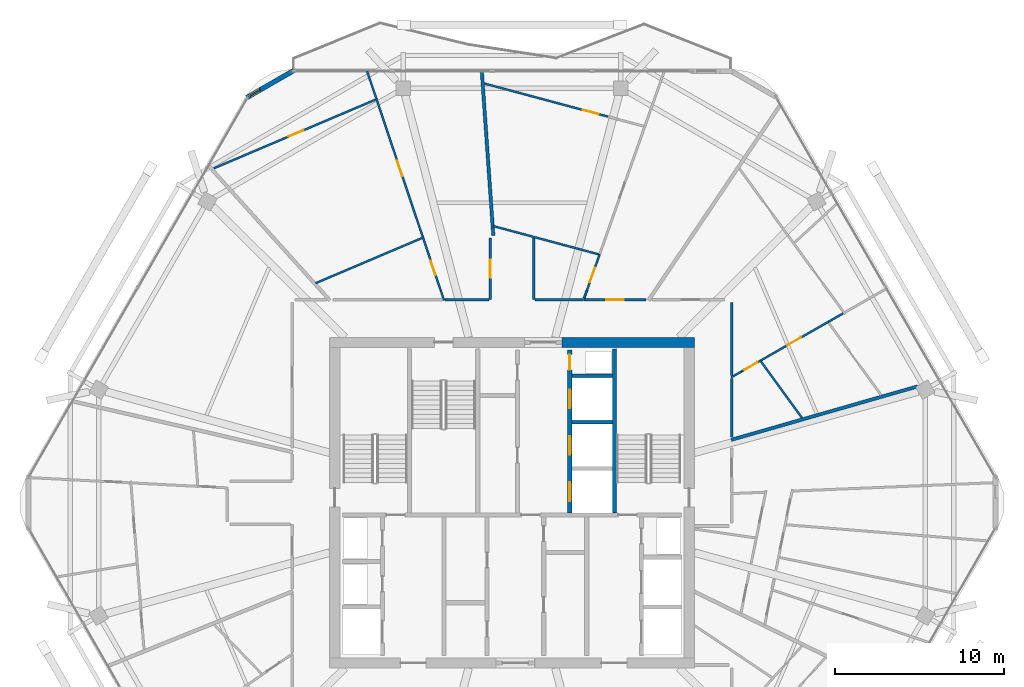
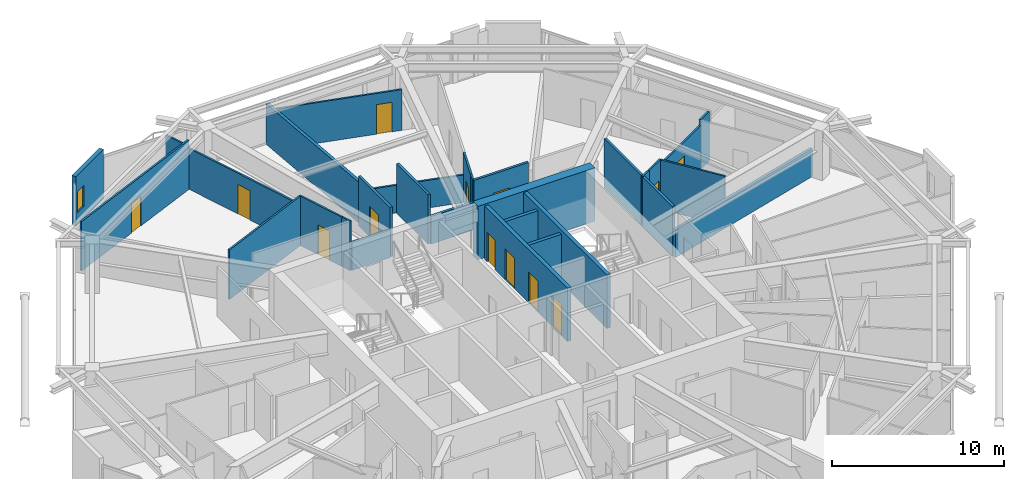
# One storey, part 23 of 26: 30 walls, 13 doors, 1 window, 14 openings.
"""IFC4 building model written with IfcOpenShell, lengths in metres."""

from ifc_helpers import new_model, si_unit, direction, frame, frame_2d, origin, place, context, subcontext, project, spatial, rectangle, extrude, material, layer, layer_set, type_object, element, fill, save


model = new_model("IFC4")

# Units and contexts
model_context = context("Model", 3, precision=1e-05, world=origin(), true_north=direction((0.0, 1.0)))
body_context = subcontext(model_context, "Body", "Model", "MODEL_VIEW")
ifc_project = project(units=[si_unit("LENGTHUNIT", "METRE"), si_unit("AREAUNIT", "SQUARE_METRE"), si_unit("VOLUMEUNIT", "CUBIC_METRE"), si_unit("PLANEANGLEUNIT", "RADIAN"), si_unit("MASSUNIT", "GRAM", prefix="KILO")], contexts=[model_context])

# Site, building, storey
site_placement = place(None, origin())
site = spatial("IfcSite", under=ifc_project, at=site_placement, CompositionType="ELEMENT")
building_placement = place(site_placement, origin())
building = spatial("IfcBuilding", under=site, at=building_placement, Name="Zuhravey Tower", CompositionType="ELEMENT")
storey_placement = place(building_placement, frame((0.0, 0.0, 299.60009765625)))
storey = spatial("IfcBuildingStorey", under=building, at=storey_placement, Name="L76", CompositionType="ELEMENT", Elevation=299.60009765625)

# Wall
ifc_material_1 = material(Name="Concrete C50/60", Category="concrete")
ifc_layer_1 = layer(ifc_material_1, 0.60009765625)
ifc_layer_set_1 = layer_set([ifc_layer_1], Name="Concrete C50/60")
wall_type_1 = type_object("IfcWallType", Name="Core Shear Wall 600", PredefinedType="SHEAR", material=ifc_layer_set_1)
wall_1_placement = place(storey_placement, frame((46.800048828125, 41.5, 0.0), z_axis=(0.0, 0.0, 1.0), x_axis=(-1.0, 0.0, 0.0)))
element("IfcWall", 1, at=wall_1_placement, inside=storey, type_object=wall_type_1, Name="L76 North-East Core Shear Wall CW60", PredefinedType="SHEAR", context=body_context, shape_type="SweptSolid", body=[
    extrude(rectangle(XDim=7.85009765625, YDim=0.60009765625, at=frame_2d((3.925048828125, 0.0))), origin(), (0.0, 0.0, 1.0), 3.7998046875),
])

# Wall, opening, door
ifc_material_2 = material(Name="Gypsum fire-rated stud partition")
ifc_layer_2 = layer(ifc_material_2, 0.159912109375)
ifc_layer_set_2 = layer_set([ifc_layer_2], Name="Gypsum fire-rated stud partition")
wall_type_2 = type_object("IfcWallType", Name="Corridor Fire Partition 160", PredefinedType="PARTITIONING", material=ifc_layer_set_2)
wall_2_placement = place(storey_placement, frame((43.9384765625, 44.030029296875, 0.0), z_axis=(0.0, 0.0, 1.0), x_axis=(-1.0, 0.0, 0.0)))
wall_2 = element("IfcWall", 2, at=wall_2_placement, inside=storey, type_object=wall_type_2, Name="L76 IW16 Partition 055", PredefinedType="PARTITIONING", context=body_context, shape_type="SweptSolid", body=[
    extrude(rectangle(XDim=3.67138671875, YDim=0.159912109375, at=frame_2d((1.835693359375, 0.0))), origin(), (0.0, 0.0, 1.0), 3.52001953125),
])
opening_1_placement = place(wall_2_placement, frame((1.310791015625, 0.0, 0.0)))
opening_1 = element("IfcOpeningElement", 3, at=opening_1_placement, cuts=wall_2, Name="Opening APD1", PredefinedType="OPENING", context=body_context, shape_type="SweptSolid", body=[
    extrude(rectangle(XDim=1.050048828125, YDim=2.14990234375, at=frame_2d((0.52490234375, 1.074951171875))), frame((0.0, 0.092041015625, 0.0), z_axis=(0.0, -1.0, 0.0), x_axis=(1.0, 0.0, 0.0)), (0.0, 0.0, 1.0), 0.183837890625),
])
ifc_material_3 = material(Name="Solid-core oak fire-rated leaf")
door_type_1 = type_object("IfcDoorType", Name="Apartment Entrance Fire Door 1050x2150", OperationType="NOTDEFINED", PredefinedType="DOOR", material=ifc_material_3)
door_1_placement = place(opening_1_placement, frame((1.050048828125, 0.0, 0.0), z_axis=(0.0, 0.0, 1.0), x_axis=(-1.0, 0.0, 0.0)))
door_1 = element("IfcDoor", 4, at=door_1_placement, inside=storey, type_object=door_type_1, Name="L76 Door 055.1", OperationType="SINGLE_SWING_RIGHT", OverallHeight=2.14990234375, OverallWidth=1.050048828125, PredefinedType="DOOR", context=body_context, shape_type="SweptSolid", body=[
    extrude(rectangle(XDim=1.050048828125, YDim=2.14990234375, at=frame_2d((0.52490234375, 1.074951171875))), frame((0.0, 0.02490234375, 0.0), z_axis=(0.0, -1.0, 0.0), x_axis=(1.0, 0.0, 0.0)), (0.0, 0.0, 1.0), 0.050048828125),
])
fill(opening_1, door_1)

wall_3_placement = place(storey_placement, frame((34.719970703125, 47.699951171875, 0.0), z_axis=(0.0, 0.0, 1.0), x_axis=(0.0, -1.0, 0.0)))
wall_3 = element("IfcWall", 5, at=wall_3_placement, inside=storey, type_object=wall_type_2, Name="L76 IW16 Partition 059", PredefinedType="PARTITIONING", context=body_context, shape_type="SweptSolid", body=[
    extrude(rectangle(XDim=3.669921875, YDim=0.159912109375, at=frame_2d((1.8349609375, 0.0))), origin(), (0.0, 0.0, 1.0), 3.52001953125),
])
opening_2_placement = place(wall_3_placement, frame((1.31005859375, 0.0, 0.0)))
opening_2 = element("IfcOpeningElement", 6, at=opening_2_placement, cuts=wall_3, Name="Opening APD1", PredefinedType="OPENING", context=body_context, shape_type="SweptSolid", body=[
    extrude(rectangle(XDim=1.050048828125, YDim=2.14990234375, at=frame_2d((0.52490234375, 1.074951171875))), frame((0.0, 0.092041015625, 0.0), z_axis=(0.0, -1.0, 0.0), x_axis=(1.0, 0.0, 0.0)), (0.0, 0.0, 1.0), 0.183837890625),
])
door_2_placement = place(opening_2_placement, frame((1.050048828125, 0.0, 0.0), z_axis=(0.0, 0.0, 1.0), x_axis=(-1.0, 0.0, 0.0)))
door_2 = element("IfcDoor", 7, at=door_2_placement, inside=storey, type_object=door_type_1, Name="L76 Door 059.1", OperationType="SINGLE_SWING_RIGHT", OverallHeight=2.14990234375, OverallWidth=1.050048828125, PredefinedType="DOOR", context=body_context, shape_type="SweptSolid", body=[
    extrude(rectangle(XDim=1.050048828125, YDim=2.14990234375, at=frame_2d((0.52490234375, 1.074951171875))), frame((0.0, 0.02490234375, 0.0), z_axis=(0.0, -1.0, 0.0), x_axis=(1.0, 0.0, 0.0)), (0.0, 0.0, 1.0), 0.050048828125),
])
fill(opening_2, door_2)

# Walls
wall_4_placement = place(storey_placement, frame((49.030029296875, 39.528564453125, 0.0), z_axis=(0.0, 0.0, 1.0), x_axis=(0.0, 1.0, 0.0)))
element("IfcWall", 8, at=wall_4_placement, inside=storey, type_object=wall_type_2, Name="L76 IW16 Partition 139", PredefinedType="PARTITIONING", context=body_context, shape_type="SweptSolid", body=[
    extrude(rectangle(XDim=4.321533203125, YDim=0.159912109375, at=frame_2d((2.16064453125, 0.0))), origin(), (0.0, 0.0, 1.0), 3.52001953125),
])
wall_5_placement = place(storey_placement, frame((49.030029296875, 35.880615234375, 0.0), z_axis=(0.0, 0.0, 1.0), x_axis=(0.0, 1.0, 0.0)))
element("IfcWall", 9, at=wall_5_placement, inside=storey, type_object=wall_type_2, Name="L76 IW16 Partition 140", PredefinedType="PARTITIONING", context=body_context, shape_type="SweptSolid", body=[
    extrude(rectangle(XDim=3.4912109375, YDim=0.159912109375, at=frame_2d((1.74560546875, 0.0))), origin(), (0.0, 0.0, 1.0), 3.52001953125),
])
wall_6_placement = place(storey_placement, frame((37.280029296875, 44.030029296875, 0.0), z_axis=(0.0, 0.0, 1.0), x_axis=(0.0, 1.0, 0.0)))
element("IfcWall", 10, at=wall_6_placement, inside=storey, type_object=wall_type_2, Name="L76 IW16 Partition 141", PredefinedType="PARTITIONING", context=body_context, shape_type="SweptSolid", body=[
    extrude(rectangle(XDim=3.651123046875, YDim=0.159912109375, at=frame_2d((1.82568359375, 0.0))), origin(), (0.0, 0.0, 1.0), 3.52001953125),
])
wall_7_placement = place(storey_placement, frame((40.224609375, 44.030029296875, 0.0), z_axis=(0.0, 0.0, 1.0), x_axis=(-1.0, 0.0, 0.0)))
element("IfcWall", 11, at=wall_7_placement, inside=storey, type_object=wall_type_2, Name="L76 IW16 Partition 142", PredefinedType="PARTITIONING", context=body_context, shape_type="SweptSolid", body=[
    extrude(rectangle(XDim=2.856689453125, YDim=0.159912109375, at=frame_2d((1.42822265625, 0.0))), origin(), (0.0, 0.0, 1.0), 1.969970703125),
])
wall_8_placement = place(storey_placement, frame((34.632080078125, 44.030029296875, 0.0), z_axis=(0.0, 0.0, 1.0), x_axis=(-1.0, 0.0, 0.0)))
element("IfcWall", 12, at=wall_8_placement, inside=storey, type_object=wall_type_2, Name="L76 IW16 Partition 143", PredefinedType="PARTITIONING", context=body_context, shape_type="SweptSolid", body=[
    extrude(rectangle(XDim=2.599365234375, YDim=0.159912109375, at=frame_2d((1.2998046875, 0.0))), origin(), (0.0, 0.0, 1.0), 1.969970703125),
])

# Wall, opening, window
ifc_material_4 = material(Name="Precast concrete C40/50", Category="concrete")
ifc_layer_3 = layer(ifc_material_4, 0.280029296875)
ifc_layer_set_3 = layer_set([ifc_layer_3], Name="Precast concrete C40/50")
wall_type_3 = type_object("IfcWallType", Name="Crown Architectural Wall 280", PredefinedType="SOLIDWALL", material=ifc_layer_set_3)
wall_9_placement = place(storey_placement, frame((20.285400390625, 56.003662109375, 0.0), z_axis=(0.0, 0.0, 1.0), x_axis=(0.866028773314, 0.499994163758, 0.0)))
wall_9 = element("IfcWall", 13, at=wall_9_placement, inside=storey, type_object=wall_type_3, Name="L76 Rounded Corner Closure Wall EW28-08", PredefinedType="SOLIDWALL", context=body_context, shape_type="SweptSolid", body=[
    extrude(rectangle(XDim=3.21484375, YDim=0.280029296875, at=frame_2d((1.607421875, 0.0))), origin(), (0.0, 0.0, 1.0), 3.52001953125),
])
opening_3_placement = place(wall_9_placement, frame((0.17578125, 0.0, 0.85009765625)))
opening_3 = element("IfcOpeningElement", 14, at=opening_3_placement, cuts=wall_9, Name="Opening WN5", PredefinedType="OPENING", context=body_context, shape_type="SweptSolid", body=[
    extrude(rectangle(XDim=0.75, YDim=1.5, at=frame_2d((0.375, 0.75))), frame((0.0, 0.152099609375, 0.0), z_axis=(0.0, -1.0, 0.0), x_axis=(1.0, 0.0, 0.0)), (0.0, 0.0, 1.0), 0.303955078125),
])
ifc_material_5 = material(Name="Thermally broken aluminium and triple low-E glass", Category="aluminium")
window_type = type_object("IfcWindowType", Name="Residential Corner Casement Window 750x1500", PartitioningType="SINGLE_PANEL", PredefinedType="WINDOW", material=ifc_material_5)
window_placement = place(opening_3_placement, origin())
window = element("IfcWindow", 15, at=window_placement, inside=storey, type_object=window_type, Name="L76 Corner Casement Window WN5-08.1", OverallHeight=1.5, OverallWidth=0.75, PartitioningType="SINGLE_PANEL", PredefinedType="WINDOW", context=body_context, shape_type="SweptSolid", body=[
    extrude(rectangle(XDim=0.75, YDim=1.5, at=frame_2d((0.375, 0.75))), frame((0.0, 0.030029296875, 0.0), z_axis=(0.0, -1.0, 0.0), x_axis=(1.0, 0.0, 0.0)), (0.0, 0.0, 1.0), 0.06005859375),
])
fill(opening_3, window)

# Wall
ifc_layer_4 = layer(ifc_material_1, 0.25)
ifc_layer_set_4 = layer_set([ifc_layer_4], Name="Concrete C50/60")
wall_type_4 = type_object("IfcWallType", Name="Firefighting Shaft & Stair Wall 250", PredefinedType="SOLIDWALL", material=ifc_layer_set_4)
wall_10_placement = place(storey_placement, frame((42.074951171875, 31.39990234375, 0.0), z_axis=(0.0, 0.0, 1.0), x_axis=(0.0, 1.0, 0.0)))
element("IfcWall", 16, at=wall_10_placement, inside=storey, type_object=wall_type_4, Name="L76 FW25 Shaft Wall 006", PredefinedType="SOLIDWALL", context=body_context, shape_type="SweptSolid", body=[
    extrude(rectangle(XDim=9.7001953125, YDim=0.25, at=frame_2d((4.85009765625, 0.0))), origin(), (0.0, 0.0, 1.0), 3.7998046875),
])

# Wall, openings, doors
wall_11_placement = place(storey_placement, frame((39.425048828125, 31.39990234375, 0.0), z_axis=(0.0, 0.0, 1.0), x_axis=(0.0, 1.0, 0.0)))
wall_11 = element("IfcWall", 17, at=wall_11_placement, inside=storey, type_object=wall_type_4, Name="L76 FW25 Shaft Wall 008", PredefinedType="SOLIDWALL", context=body_context, shape_type="SweptSolid", body=[
    extrude(rectangle(XDim=9.650146484375, YDim=0.25, at=frame_2d((4.8251953125, 0.0))), origin(), (0.0, 0.0, 1.0), 3.7998046875),
])
opening_4_placement = place(wall_11_placement, frame((0.699951171875, 0.0, 0.0)))
opening_4 = element("IfcOpeningElement", 18, at=opening_4_placement, cuts=wall_11, Name="Opening LD1", PredefinedType="OPENING", context=body_context, shape_type="SweptSolid", body=[
    extrude(rectangle(XDim=1.10009765625, YDim=2.199951171875, at=frame_2d((0.550048828125, 1.10009765625))), frame((0.0, 0.136962890625, 0.0), z_axis=(0.0, -1.0, 0.0), x_axis=(1.0, 0.0, 0.0)), (0.0, 0.0, 1.0), 0.27392578125),
])
opening_5_placement = place(wall_11_placement, frame((3.449951171875, 0.0, 0.0)))
opening_5 = element("IfcOpeningElement", 19, at=opening_5_placement, cuts=wall_11, Name="Opening LD1", PredefinedType="OPENING", context=body_context, shape_type="SweptSolid", body=[
    extrude(rectangle(XDim=1.10009765625, YDim=2.199951171875, at=frame_2d((0.550048828125, 1.10009765625))), frame((0.0, 0.136962890625, 0.0), z_axis=(0.0, -1.0, 0.0), x_axis=(1.0, 0.0, 0.0)), (0.0, 0.0, 1.0), 0.27392578125),
])
opening_6_placement = place(wall_11_placement, frame((6.199951171875, 0.0, 0.0)))
opening_6 = element("IfcOpeningElement", 20, at=opening_6_placement, cuts=wall_11, Name="Opening LD1", PredefinedType="OPENING", context=body_context, shape_type="SweptSolid", body=[
    extrude(rectangle(XDim=1.10009765625, YDim=2.199951171875, at=frame_2d((0.550048828125, 1.10009765625))), frame((0.0, 0.136962890625, 0.0), z_axis=(0.0, -1.0, 0.0), x_axis=(1.0, 0.0, 0.0)), (0.0, 0.0, 1.0), 0.27392578125),
])
opening_7_placement = place(wall_11_placement, frame((8.469970703125, 0.0, 0.0)))
opening_7 = element("IfcOpeningElement", 21, at=opening_7_placement, cuts=wall_11, Name="Opening RSD1", PredefinedType="OPENING", context=body_context, shape_type="SweptSolid", body=[
    extrude(rectangle(XDim=0.89990234375, YDim=2.10009765625, at=frame_2d((0.449951171875, 1.050048828125))), frame((0.0, 0.136962890625, 0.0), z_axis=(0.0, -1.0, 0.0), x_axis=(1.0, 0.0, 0.0)), (0.0, 0.0, 1.0), 0.27392578125),
])
ifc_material_6 = material(Name="Brushed stainless steel", Category="steel")
door_type_2 = type_object("IfcDoorType", Name="Lift Landing Sliding Door 1100x2200", OperationType="DOUBLE_DOOR_SLIDING", PredefinedType="DOOR", material=ifc_material_6)
door_3_placement = place(opening_4_placement, origin())
door_3 = element("IfcDoor", 22, at=door_3_placement, inside=storey, type_object=door_type_2, Name="L76 Lift PL7 Landing Door", OperationType="DOUBLE_DOOR_SLIDING", OverallHeight=2.199951171875, OverallWidth=1.10009765625, PredefinedType="DOOR", context=body_context, shape_type="SweptSolid", body=[
    extrude(rectangle(XDim=1.10009765625, YDim=2.199951171875, at=frame_2d((0.550048828125, 1.10009765625))), frame((0.0, 0.02490234375, 0.0), z_axis=(0.0, -1.0, 0.0), x_axis=(1.0, 0.0, 0.0)), (0.0, 0.0, 1.0), 0.050048828125),
])
fill(opening_4, door_3)
door_4_placement = place(opening_5_placement, origin())
door_4 = element("IfcDoor", 23, at=door_4_placement, inside=storey, type_object=door_type_2, Name="L76 Lift PL8 Landing Door", OperationType="DOUBLE_DOOR_SLIDING", OverallHeight=2.199951171875, OverallWidth=1.10009765625, PredefinedType="DOOR", context=body_context, shape_type="SweptSolid", body=[
    extrude(rectangle(XDim=1.10009765625, YDim=2.199951171875, at=frame_2d((0.550048828125, 1.10009765625))), frame((0.0, 0.02490234375, 0.0), z_axis=(0.0, -1.0, 0.0), x_axis=(1.0, 0.0, 0.0)), (0.0, 0.0, 1.0), 0.050048828125),
])
fill(opening_5, door_4)
door_5_placement = place(opening_6_placement, origin())
door_5 = element("IfcDoor", 24, at=door_5_placement, inside=storey, type_object=door_type_2, Name="L76 Lift PL9 Landing Door", OperationType="DOUBLE_DOOR_SLIDING", OverallHeight=2.199951171875, OverallWidth=1.10009765625, PredefinedType="DOOR", context=body_context, shape_type="SweptSolid", body=[
    extrude(rectangle(XDim=1.10009765625, YDim=2.199951171875, at=frame_2d((0.550048828125, 1.10009765625))), frame((0.0, 0.02490234375, 0.0), z_axis=(0.0, -1.0, 0.0), x_axis=(1.0, 0.0, 0.0)), (0.0, 0.0, 1.0), 0.050048828125),
])
fill(opening_6, door_5)
ifc_material_7 = material(Name="Galvanised fire-rated steel access leaf", Category="steel")
door_type_3 = type_object("IfcDoorType", Name="Riser & Shaft Access Fire Door 900x2100", OperationType="NOTDEFINED", PredefinedType="DOOR", material=ifc_material_7)
door_6_placement = place(opening_7_placement, origin())
door_6 = element("IfcDoor", 25, at=door_6_placement, inside=storey, type_object=door_type_3, Name="L76 North Riser Door", OperationType="SINGLE_SWING_RIGHT", OverallHeight=2.10009765625, OverallWidth=0.89990234375, PredefinedType="DOOR", context=body_context, shape_type="SweptSolid", body=[
    extrude(rectangle(XDim=0.89990234375, YDim=2.10009765625, at=frame_2d((0.449951171875, 1.050048828125))), frame((0.0, 0.02490234375, 0.0), z_axis=(0.0, -1.0, 0.0), x_axis=(1.0, 0.0, 0.0)), (0.0, 0.0, 1.0), 0.050048828125),
])
fill(opening_7, door_6)

# Walls
ifc_material_8 = material(Name="Gypsum double-stud party assembly")
ifc_layer_5 = layer(ifc_material_8, 0.199951171875)
ifc_layer_set_5 = layer_set([ifc_layer_5], Name="Gypsum double-stud party assembly")
wall_type_5 = type_object("IfcWallType", Name="Inter-Tenancy Party Wall 200", PredefinedType="PARTITIONING", material=ifc_layer_set_5)
wall_12_placement = place(storey_placement, frame((48.989990234375, 35.724853515625, 0.0), z_axis=(0.0, 0.0, 1.0), x_axis=(0.961260623408, 0.275641096148, 0.0)))
element("IfcWall", 26, at=wall_12_placement, inside=storey, type_object=wall_type_5, Name="L76 IW20 Partition 100", PredefinedType="PARTITIONING", context=body_context, shape_type="SweptSolid", body=[
    extrude(rectangle(XDim=11.494873046875, YDim=0.199951171875, at=frame_2d((5.74755859375, 0.0))), origin(), (0.0, 0.0, 1.0), 1.969970703125),
])
wall_13_placement = place(storey_placement, frame((34.892333984375, 47.839599609375, 0.0), z_axis=(0.0, 0.0, 1.0), x_axis=(-0.069751864863, 0.997564372533, 0.0)))
element("IfcWall", 27, at=wall_13_placement, inside=storey, type_object=wall_type_5, Name="L76 IW20 Partition 114", PredefinedType="PARTITIONING", context=body_context, shape_type="SweptSolid", body=[
    extrude(rectangle(XDim=9.747802734375, YDim=0.199951171875, at=frame_2d((4.8740234375, 0.0))), origin(), (0.0, 0.0, 1.0), 2.89990234375),
])
ifc_material_9 = material(Name="Gypsum acoustic stud assembly")
ifc_layer_6 = layer(ifc_material_9, 0.219970703125)
ifc_layer_set_6 = layer_set([ifc_layer_6], Name="Gypsum acoustic stud assembly")
wall_type_6 = type_object("IfcWallType", Name="School Acoustic Compartment Wall 220", PredefinedType="PARTITIONING", material=ifc_layer_set_6)
for number, where, z_axis, x_axis, name in (
    (28, (39.55810546875, 36.77490234375, 0.0), (0.0, 0.0, 1.0), (1.0, 0.0, 0.0), "L76 IW22 Partition 069"),
    (29, (39.55810546875, 39.52490234375, 0.0), (0.0, 0.0, 1.0), (1.0, 0.0, 0.0), "L76 IW22 Partition 070"),
):
    element("IfcWall", number, at=place(storey_placement, frame(where, z_axis=z_axis, x_axis=x_axis)), inside=storey, type_object=wall_type_6, Name=name, PredefinedType="PARTITIONING", context=body_context, shape_type="SweptSolid", body=[
        extrude(rectangle(XDim=2.3837890625, YDim=0.219970703125, at=frame_2d((1.19189453125, 0.0))), origin(), (0.0, 0.0, 1.0), 3.52001953125),
    ])

# Wall, opening, door
ifc_material_10 = material(Name="Gypsum metal-stud partition")
ifc_layer_7 = layer(ifc_material_10, 0.1201171875)
ifc_layer_set_7 = layer_set([ifc_layer_7], Name="Gypsum metal-stud partition")
wall_type_7 = type_object("IfcWallType", Name="Unit Internal Partition 120", PredefinedType="PARTITIONING", material=ifc_layer_set_7)
wall_14_placement = place(storey_placement, frame((49.60009765625, 39.776123046875, 0.0), z_axis=(0.0, 0.0, 1.0), x_axis=(0.868071653211, 0.496438923627, 0.0)))
wall_14 = element("IfcWall", 30, at=wall_14_placement, inside=storey, type_object=wall_type_7, Name="L76 IW12 Partition 048", PredefinedType="PARTITIONING", context=body_context, shape_type="SweptSolid", body=[
    extrude(rectangle(XDim=1.314453125, YDim=0.1201171875, at=frame_2d((0.6572265625, 0.0))), origin(), (0.0, 0.0, 1.0), 3.52001953125),
])
opening_8_placement = place(wall_14_placement, frame((0.199951171875, 0.0, 0.0)))
opening_8 = element("IfcOpeningElement", 31, at=opening_8_placement, cuts=wall_14, Name="Opening WCD1", PredefinedType="OPENING", context=body_context, shape_type="SweptSolid", body=[
    extrude(rectangle(XDim=0.89990234375, YDim=2.10009765625, at=frame_2d((0.449951171875, 1.050048828125))), frame((0.0, 0.072021484375, 0.0), z_axis=(0.0, -1.0, 0.0), x_axis=(1.0, 0.0, 0.0)), (0.0, 0.0, 1.0), 0.14404296875),
])
ifc_material_11 = material(Name="Moisture-resistant timber leaf", Category="wood")
door_type_4 = type_object("IfcDoorType", Name="Bathroom & WC Internal Door 900x2100", OperationType="NOTDEFINED", PredefinedType="DOOR", material=ifc_material_11)
door_7_placement = place(opening_8_placement, frame((0.89990234375, 0.0, 0.0), z_axis=(0.0, 0.0, 1.0), x_axis=(-1.0, 0.0, 0.0)))
door_7 = element("IfcDoor", 32, at=door_7_placement, inside=storey, type_object=door_type_4, Name="Apartment L76-05 Bathroom Door", OperationType="SINGLE_SWING_LEFT", OverallHeight=2.10009765625, OverallWidth=0.89990234375, PredefinedType="DOOR", context=body_context, shape_type="SweptSolid", body=[
    extrude(rectangle(XDim=0.89990234375, YDim=2.10009765625, at=frame_2d((0.449951171875, 1.050048828125))), frame((0.0, 0.02490234375, 0.0), z_axis=(0.0, -1.0, 0.0), x_axis=(1.0, 0.0, 0.0)), (0.0, 0.0, 1.0), 0.050048828125),
])
fill(opening_8, door_7)

wall_15_placement = place(storey_placement, frame((50.7412109375, 40.4287109375, 0.0), z_axis=(0.0, 0.0, 1.0), x_axis=(0.868106480207, 0.496378020286, 0.0)))
wall_15 = element("IfcWall", 33, at=wall_15_placement, inside=storey, type_object=wall_type_7, Name="L76 IW12 Partition 049", PredefinedType="PARTITIONING", context=body_context, shape_type="SweptSolid", body=[
    extrude(rectangle(XDim=4.618408203125, YDim=0.1201171875, at=frame_2d((2.30908203125, 0.0))), origin(), (0.0, 0.0, 1.0), 3.119873046875),
])
opening_9_placement = place(wall_15_placement, frame((1.80908203125, 0.0, 0.0)))
opening_9 = element("IfcOpeningElement", 34, at=opening_9_placement, cuts=wall_15, Name="Opening IND1", PredefinedType="OPENING", context=body_context, shape_type="SweptSolid", body=[
    extrude(rectangle(XDim=0.949951171875, YDim=2.10009765625, at=frame_2d((0.47509765625, 1.050048828125))), frame((0.0, 0.072021484375, 0.0), z_axis=(0.0, -1.0, 0.0), x_axis=(1.0, 0.0, 0.0)), (0.0, 0.0, 1.0), 0.14404296875),
])
ifc_material_12 = material(Name="Painted engineered timber leaf", Category="wood")
door_type_5 = type_object("IfcDoorType", Name="Internal Room & Bedroom Door 950x2100", OperationType="NOTDEFINED", PredefinedType="DOOR", material=ifc_material_12)
door_8_placement = place(opening_9_placement, frame((0.949951171875, 0.0, 0.0), z_axis=(0.0, 0.0, 1.0), x_axis=(-1.0, 0.0, 0.0)))
door_8 = element("IfcDoor", 35, at=door_8_placement, inside=storey, type_object=door_type_5, Name="Apartment L76-05 Home Office Door", OperationType="SINGLE_SWING_RIGHT", OverallHeight=2.10009765625, OverallWidth=0.949951171875, PredefinedType="DOOR", context=body_context, shape_type="SweptSolid", body=[
    extrude(rectangle(XDim=0.949951171875, YDim=2.10009765625, at=frame_2d((0.47509765625, 1.050048828125))), frame((0.0, 0.02490234375, 0.0), z_axis=(0.0, -1.0, 0.0), x_axis=(1.0, 0.0, 0.0)), (0.0, 0.0, 1.0), 0.050048828125),
])
fill(opening_9, door_8)

wall_16_placement = place(storey_placement, frame((40.447021484375, 44.60009765625, 0.0), z_axis=(0.0, 0.0, 1.0), x_axis=(0.332899370386, 0.942962358314, 0.0)))
wall_16 = element("IfcWall", 36, at=wall_16_placement, inside=storey, type_object=wall_type_7, Name="L76 IW12 Partition 052", PredefinedType="PARTITIONING", context=body_context, shape_type="SweptSolid", body=[
    extrude(rectangle(XDim=2.255859375, YDim=0.1201171875, at=frame_2d((1.1279296875, 0.0))), origin(), (0.0, 0.0, 1.0), 3.52001953125),
])
opening_10_placement = place(wall_16_placement, frame((0.49755859375, 0.0, 0.0)))
opening_10 = element("IfcOpeningElement", 37, at=opening_10_placement, cuts=wall_16, Name="Opening WCD1", PredefinedType="OPENING", context=body_context, shape_type="SweptSolid", body=[
    extrude(rectangle(XDim=0.89990234375, YDim=2.10009765625, at=frame_2d((0.449951171875, 1.050048828125))), frame((0.0, 0.072021484375, 0.0), z_axis=(0.0, -1.0, 0.0), x_axis=(1.0, 0.0, 0.0)), (0.0, 0.0, 1.0), 0.14404296875),
])
door_9_placement = place(opening_10_placement, origin())
door_9 = element("IfcDoor", 38, at=door_9_placement, inside=storey, type_object=door_type_4, Name="Apartment L76-06 Bathroom Door", OperationType="SINGLE_SWING_LEFT", OverallHeight=2.10009765625, OverallWidth=0.89990234375, PredefinedType="DOOR", context=body_context, shape_type="SweptSolid", body=[
    extrude(rectangle(XDim=0.89990234375, YDim=2.10009765625, at=frame_2d((0.449951171875, 1.050048828125))), frame((0.0, 0.02490234375, 0.0), z_axis=(0.0, -1.0, 0.0), x_axis=(1.0, 0.0, 0.0)), (0.0, 0.0, 1.0), 0.050048828125),
])
fill(opening_10, door_9)

wall_17_placement = place(storey_placement, frame((41.693359375, 54.874267578125, 0.0), z_axis=(0.0, 0.0, 1.0), x_axis=(-0.965930778085, 0.25880056404, 0.0)))
wall_17 = element("IfcWall", 39, at=wall_17_placement, inside=storey, type_object=wall_type_7, Name="L76 IW12 Partition 054", PredefinedType="PARTITIONING", context=body_context, shape_type="SweptSolid", body=[
    extrude(rectangle(XDim=7.5703125, YDim=0.1201171875, at=frame_2d((3.78515625, 0.0))), origin(), (0.0, 0.0, 1.0), 2.89990234375),
])
opening_11_placement = place(wall_17_placement, frame((0.594482421875, 0.0, 0.0)))
opening_11 = element("IfcOpeningElement", 40, at=opening_11_placement, cuts=wall_17, Name="Opening IND1", PredefinedType="OPENING", context=body_context, shape_type="SweptSolid", body=[
    extrude(rectangle(XDim=0.949951171875, YDim=2.10009765625, at=frame_2d((0.47509765625, 1.050048828125))), frame((0.0, 0.072021484375, 0.0), z_axis=(0.0, -1.0, 0.0), x_axis=(1.0, 0.0, 0.0)), (0.0, 0.0, 1.0), 0.14404296875),
])
door_10_placement = place(opening_11_placement, frame((0.949951171875, 0.0, 0.0), z_axis=(0.0, 0.0, 1.0), x_axis=(-1.0, 0.0, 0.0)))
door_10 = element("IfcDoor", 41, at=door_10_placement, inside=storey, type_object=door_type_5, Name="Apartment L76-06 Bedroom 1 Door", OperationType="SINGLE_SWING_LEFT", OverallHeight=2.10009765625, OverallWidth=0.949951171875, PredefinedType="DOOR", context=body_context, shape_type="SweptSolid", body=[
    extrude(rectangle(XDim=0.949951171875, YDim=2.10009765625, at=frame_2d((0.47509765625, 1.050048828125))), frame((0.0, 0.02490234375, 0.0), z_axis=(0.0, -1.0, 0.0), x_axis=(1.0, 0.0, 0.0)), (0.0, 0.0, 1.0), 0.050048828125),
])
fill(opening_11, door_10)

wall_18_placement = place(storey_placement, frame((31.769287109375, 44.60009765625, 0.0), z_axis=(0.0, 0.0, 1.0), x_axis=(-0.318310652393, 0.947986460121, 0.0)))
wall_18 = element("IfcWall", 42, at=wall_18_placement, inside=storey, type_object=wall_type_7, Name="L76 IW12 Partition 056", PredefinedType="PARTITIONING", context=body_context, shape_type="SweptSolid", body=[
    extrude(rectangle(XDim=3.30419921875, YDim=0.1201171875, at=frame_2d((1.652099609375, 0.0))), origin(), (0.0, 0.0, 1.0), 3.52001953125),
])
opening_12_placement = place(wall_18_placement, frame((0.937744140625, 0.0, 0.0)))
opening_12 = element("IfcOpeningElement", 43, at=opening_12_placement, cuts=wall_18, Name="Opening WCD1", PredefinedType="OPENING", context=body_context, shape_type="SweptSolid", body=[
    extrude(rectangle(XDim=0.89990234375, YDim=2.10009765625, at=frame_2d((0.449951171875, 1.050048828125))), frame((0.0, 0.072021484375, 0.0), z_axis=(0.0, -1.0, 0.0), x_axis=(1.0, 0.0, 0.0)), (0.0, 0.0, 1.0), 0.14404296875),
])
door_11_placement = place(opening_12_placement, origin())
door_11 = element("IfcDoor", 44, at=door_11_placement, inside=storey, type_object=door_type_4, Name="Apartment L76-07 Bathroom Door", OperationType="SINGLE_SWING_LEFT", OverallHeight=2.10009765625, OverallWidth=0.89990234375, PredefinedType="DOOR", context=body_context, shape_type="SweptSolid", body=[
    extrude(rectangle(XDim=0.89990234375, YDim=2.10009765625, at=frame_2d((0.449951171875, 1.050048828125))), frame((0.0, 0.02490234375, 0.0), z_axis=(0.0, -1.0, 0.0), x_axis=(1.0, 0.0, 0.0)), (0.0, 0.0, 1.0), 0.050048828125),
])
fill(opening_12, door_11)

wall_19_placement = place(storey_placement, frame((30.7177734375, 47.732421875, 0.0), z_axis=(0.0, 0.0, 1.0), x_axis=(-0.318318636233, 0.947983779306, 0.0)))
wall_19 = element("IfcWall", 45, at=wall_19_placement, inside=storey, type_object=wall_type_7, Name="L76 IW12 Partition 057", PredefinedType="PARTITIONING", context=body_context, shape_type="SweptSolid", body=[
    extrude(rectangle(XDim=8.649169921875, YDim=0.1201171875, at=frame_2d((4.32470703125, 0.0))), origin(), (0.0, 0.0, 1.0), 2.89990234375),
])
opening_13_placement = place(wall_19_placement, frame((3.824462890625, 0.0, 0.0)))
opening_13 = element("IfcOpeningElement", 46, at=opening_13_placement, cuts=wall_19, Name="Opening IND1", PredefinedType="OPENING", context=body_context, shape_type="SweptSolid", body=[
    extrude(rectangle(XDim=0.949951171875, YDim=2.10009765625, at=frame_2d((0.47509765625, 1.050048828125))), frame((0.0, 0.072021484375, 0.0), z_axis=(0.0, -1.0, 0.0), x_axis=(1.0, 0.0, 0.0)), (0.0, 0.0, 1.0), 0.14404296875),
])
door_12_placement = place(opening_13_placement, origin())
door_12 = element("IfcDoor", 47, at=door_12_placement, inside=storey, type_object=door_type_5, Name="Apartment L76-07 Home Office Door", OperationType="SINGLE_SWING_RIGHT", OverallHeight=2.10009765625, OverallWidth=0.949951171875, PredefinedType="DOOR", context=body_context, shape_type="SweptSolid", body=[
    extrude(rectangle(XDim=0.949951171875, YDim=2.10009765625, at=frame_2d((0.47509765625, 1.050048828125))), frame((0.0, 0.02490234375, 0.0), z_axis=(0.0, -1.0, 0.0), x_axis=(1.0, 0.0, 0.0)), (0.0, 0.0, 1.0), 0.050048828125),
])
fill(opening_13, door_12)

wall_20_placement = place(storey_placement, frame((27.909912109375, 55.88134765625, 0.0), z_axis=(0.0, 0.0, 1.0), x_axis=(-0.920502753641, -0.390736075299, 0.0)))
wall_20 = element("IfcWall", 48, at=wall_20_placement, inside=storey, type_object=wall_type_7, Name="L76 IW12 Partition 058", PredefinedType="PARTITIONING", context=body_context, shape_type="SweptSolid", body=[
    extrude(rectangle(XDim=10.402587890625, YDim=0.1201171875, at=frame_2d((5.201171875, 0.0))), origin(), (0.0, 0.0, 1.0), 3.52001953125),
])
opening_14_placement = place(wall_20_placement, frame((4.64208984375, 0.0, 0.0)))
opening_14 = element("IfcOpeningElement", 49, at=opening_14_placement, cuts=wall_20, Name="Opening IND1", PredefinedType="OPENING", context=body_context, shape_type="SweptSolid", body=[
    extrude(rectangle(XDim=0.949951171875, YDim=2.10009765625, at=frame_2d((0.47509765625, 1.050048828125))), frame((0.0, 0.072021484375, 0.0), z_axis=(0.0, -1.0, 0.0), x_axis=(1.0, 0.0, 0.0)), (0.0, 0.0, 1.0), 0.14404296875),
])
door_13_placement = place(opening_14_placement, frame((0.949951171875, 0.0, 0.0), z_axis=(0.0, 0.0, 1.0), x_axis=(-1.0, 0.0, 0.0)))
door_13 = element("IfcDoor", 50, at=door_13_placement, inside=storey, type_object=door_type_5, Name="Apartment L76-07 Bedroom 1 Door", OperationType="SINGLE_SWING_LEFT", OverallHeight=2.10009765625, OverallWidth=0.949951171875, PredefinedType="DOOR", context=body_context, shape_type="SweptSolid", body=[
    extrude(rectangle(XDim=0.949951171875, YDim=2.10009765625, at=frame_2d((0.47509765625, 1.050048828125))), frame((0.0, 0.02490234375, 0.0), z_axis=(0.0, -1.0, 0.0), x_axis=(1.0, 0.0, 0.0)), (0.0, 0.0, 1.0), 0.050048828125),
])
fill(opening_14, door_13)

# Walls
wall_21_placement = place(storey_placement, frame((48.985107421875, 39.424560546875, 0.0), z_axis=(0.0, 0.0, 1.0), x_axis=(0.86815829398, 0.496287393144, 0.0)))
element("IfcWall", 51, at=wall_21_placement, inside=storey, type_object=wall_type_7, Name="L76 IW12 Partition 103", PredefinedType="PARTITIONING", context=body_context, shape_type="SweptSolid", body=[
    extrude(rectangle(XDim=0.70849609375, YDim=0.1201171875, at=frame_2d((0.354248046875, 0.0))), origin(), (0.0, 0.0, 1.0), 3.52001953125),
])
wall_22_placement = place(storey_placement, frame((54.75048828125, 42.72119140625, 0.0), z_axis=(0.0, 0.0, 1.0), x_axis=(0.868168243338, 0.496269988272, 0.0)))
element("IfcWall", 52, at=wall_22_placement, inside=storey, type_object=wall_type_7, Name="L76 IW12 Partition 104", PredefinedType="PARTITIONING", context=body_context, shape_type="SweptSolid", body=[
    extrude(rectangle(XDim=1.003173828125, YDim=0.1201171875, at=frame_2d((0.50146484375, 0.0))), origin(), (0.0, 0.0, 1.0), 3.52001953125),
])
wall_23_placement = place(storey_placement, frame((53.174560546875, 37.037109375, 0.0), z_axis=(0.0, 0.0, 1.0), x_axis=(-0.587790054637, 0.809013505245, 0.0)))
element("IfcWall", 53, at=wall_23_placement, inside=storey, type_object=wall_type_7, Name="L76 IW12 Partition 106", PredefinedType="PARTITIONING", context=body_context, shape_type="SweptSolid", body=[
    extrude(rectangle(XDim=4.108642578125, YDim=0.1201171875, at=frame_2d((2.05419921875, 0.0))), origin(), (0.0, 0.0, 1.0), 3.52001953125),
])
wall_24_placement = place(storey_placement, frame((40.277099609375, 44.117919921875, 0.0), z_axis=(0.0, 0.0, 1.0), x_axis=(0.332370454089, 0.943148917854, 0.0)))
element("IfcWall", 54, at=wall_24_placement, inside=storey, type_object=wall_type_7, Name="L76 IW12 Partition 109", PredefinedType="PARTITIONING", context=body_context, shape_type="SweptSolid", body=[
    extrude(rectangle(XDim=0.51123046875, YDim=0.1201171875, at=frame_2d((0.255615234375, 0.0))), origin(), (0.0, 0.0, 1.0), 3.52001953125),
])
wall_25_placement = place(storey_placement, frame((41.123779296875, 46.721435546875, 0.0), z_axis=(0.0, 0.0, 1.0), x_axis=(-0.965921169942, 0.258836422201, 0.0)))
element("IfcWall", 55, at=wall_25_placement, inside=storey, type_object=wall_type_7, Name="L76 IW12 Partition 111", PredefinedType="PARTITIONING", context=body_context, shape_type="SweptSolid", body=[
    extrude(rectangle(XDim=6.446044921875, YDim=0.1201171875, at=frame_2d((3.22314453125, 0.0))), origin(), (0.0, 0.0, 1.0), 1.969970703125),
])
wall_26_placement = place(storey_placement, frame((31.9755859375, 43.986328125, 0.0), z_axis=(0.0, 0.0, 1.0), x_axis=(-0.318602151733, 0.947888531902, 0.0)))
element("IfcWall", 56, at=wall_26_placement, inside=storey, type_object=wall_type_7, Name="L76 IW12 Partition 115", PredefinedType="PARTITIONING", context=body_context, shape_type="SweptSolid", body=[
    extrude(rectangle(XDim=0.6474609375, YDim=0.1201171875, at=frame_2d((0.32373046875, 0.0))), origin(), (0.0, 0.0, 1.0), 3.52001953125),
])
wall_27_placement = place(storey_placement, frame((27.964599609375, 55.931640625, 0.0), z_axis=(0.0, 0.0, 1.0), x_axis=(-0.318263016202, 0.948002453857, 0.0)))
element("IfcWall", 57, at=wall_27_placement, inside=storey, type_object=wall_type_7, Name="L76 IW12 Partition 116", PredefinedType="PARTITIONING", context=body_context, shape_type="SweptSolid", body=[
    extrude(rectangle(XDim=1.726806640625, YDim=0.1201171875, at=frame_2d((0.86328125, 0.0))), origin(), (0.0, 0.0, 1.0), 3.02001953125),
])
wall_28_placement = place(storey_placement, frame((30.662841796875, 47.68212890625, 0.0), z_axis=(0.0, 0.0, 1.0), x_axis=(-0.920511460817, -0.390715562148, 0.0)))
element("IfcWall", 58, at=wall_28_placement, inside=storey, type_object=wall_type_7, Name="L76 IW12 Partition 117", PredefinedType="PARTITIONING", context=body_context, shape_type="SweptSolid", body=[
    extrude(rectangle(XDim=6.847900390625, YDim=0.1201171875, at=frame_2d((3.423828125, 0.0))), origin(), (0.0, 0.0, 1.0), 3.52001953125),
])

save(model, "model.ifc")
